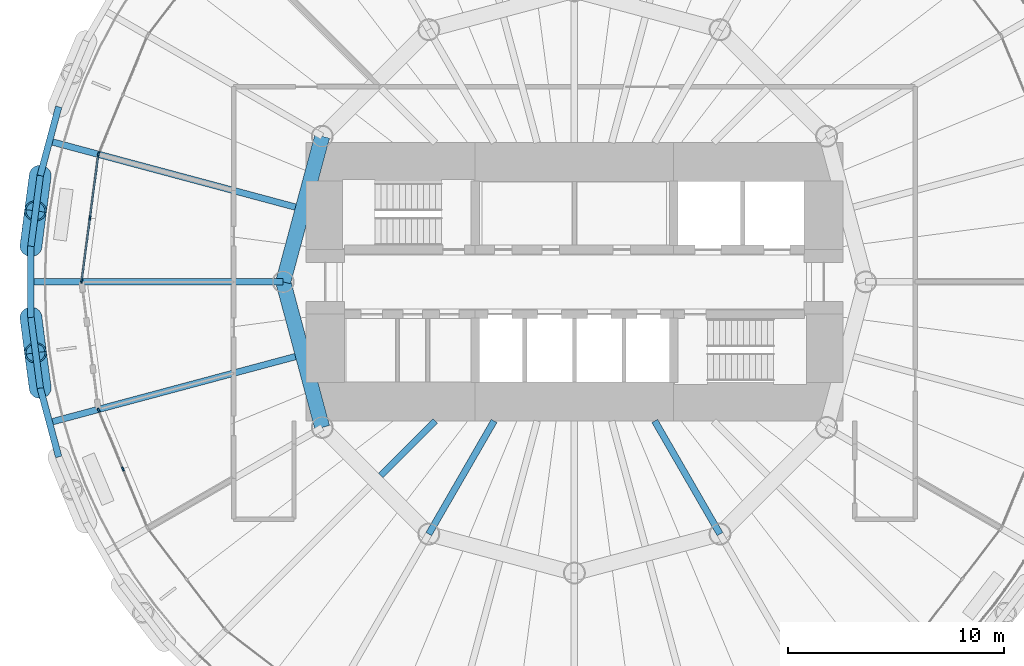
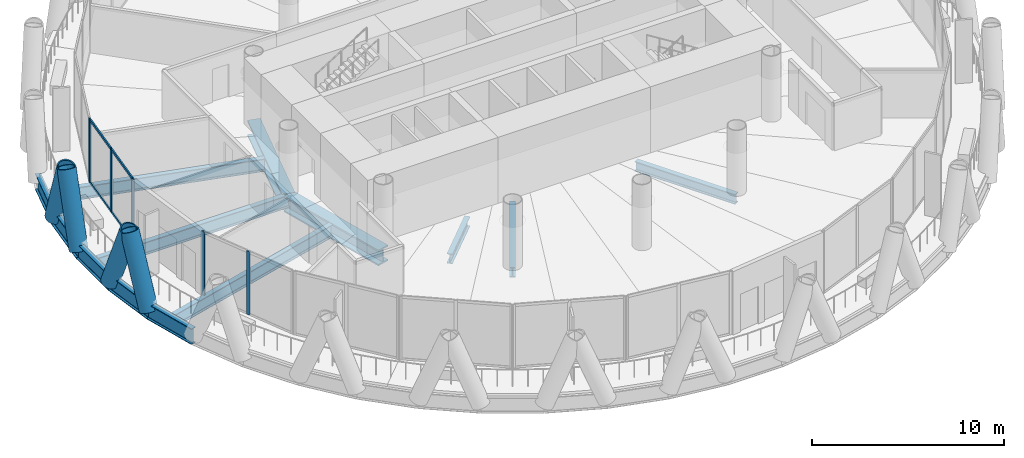
# One storey, part 3 of 15: 14 members, 13 beams, 3 elements without a shape of their own.
"""IFC4 building model written with IfcOpenShell, lengths in metres."""

from ifc_helpers import new_model, si_unit, direction, frame, origin, origin_2d, place, context, subcontext, project, spatial, rectangle, hollow_circle, i_section, extrude, material, material_profile, profile_set, type_object, element, aggregate, save


model = new_model("IFC4")

# Units and contexts
model_context = context("Model", 3, precision=1e-05, world=origin(), true_north=direction((0.0, 1.0)))
body_context = subcontext(model_context, "Body", "Model", "MODEL_VIEW")
ifc_project = project(units=[si_unit("LENGTHUNIT", "METRE"), si_unit("AREAUNIT", "SQUARE_METRE"), si_unit("VOLUMEUNIT", "CUBIC_METRE"), si_unit("PLANEANGLEUNIT", "RADIAN"), si_unit("MASSUNIT", "GRAM", prefix="KILO")], contexts=[model_context])

# Site, building, storey
site_placement = place(None, origin())
site = spatial("IfcSite", under=ifc_project, at=site_placement, CompositionType="ELEMENT")
building_placement = place(site_placement, origin())
building = spatial("IfcBuilding", under=site, at=building_placement, Name="Qaws Media Tower", CompositionType="ELEMENT")
storey_placement = place(building_placement, frame((0.0, 0.0, 114.199951171875)))
storey = spatial("IfcBuildingStorey", under=building, at=storey_placement, Name="L25", CompositionType="ELEMENT", Elevation=114.199951171875)

# Curtain wall, member
ifc_material_1 = material(Name="Aluminium and clear glass", Category="aluminium")
curtain_wall_type = type_object("IfcCurtainWallType", Name="Unitised curtain wall CW-B", PredefinedType="NOTDEFINED", material=ifc_material_1)
curtain_wall_1_placement = place(storey_placement, origin())
curtain_wall_1 = element("IfcCurtainWall", 1, at=curtain_wall_1_placement, inside=storey, type_object=curtain_wall_type, Name="CWB curtain wall L25-11", PredefinedType="NOTDEFINED")
ifc_material_2 = material(Name="Aluminium mullion", Category="aluminium")
ifc_material_profile_1 = material_profile(ifc_material_2, rectangle(XDim=0.080078125, YDim=0.199951171875, at=origin_2d()), Name="80x200")
ifc_profile_set_1 = profile_set([ifc_material_profile_1], Name="Aluminium mullion")
member_type_1 = type_object("IfcMemberType", Name="Curtain wall mullion 80x200", PredefinedType="MULLION", material=ifc_profile_set_1)
member_1_placement = place(storey_placement, frame((37.94384765625, 55.950927734375, 0.0), z_axis=(0.0, 0.0, 1.0), x_axis=(0.923879516448, -0.382683471145, 0.0)))
member_1 = element("IfcMember", 2, at=member_1_placement, type_object=member_type_1, Name="CWB mullion 3", PredefinedType="MULLION", context=body_context, shape_type="SweptSolid", body=[
    extrude(rectangle(XDim=0.080078125, YDim=0.199951171875, at=origin_2d()), origin(), (0.0, 0.0, 1.0), 4.0400390625),
])
aggregate(curtain_wall_1, [member_1])

# Curtain wall, members
curtain_wall_2_placement = place(storey_placement, origin())
curtain_wall_2 = element("IfcCurtainWall", 3, at=curtain_wall_2_placement, inside=storey, type_object=curtain_wall_type, Name="CWB curtain wall L25-12", PredefinedType="NOTDEFINED")
member_2_placement = place(storey_placement, frame((37.92333984375, 55.874267578125, 0.0), z_axis=(0.0, 0.0, 1.0), x_axis=(0.991444858023, -0.130526217674, 0.0)))
member_2 = element("IfcMember", 4, at=member_2_placement, type_object=member_type_1, Name="CWB mullion 1", PredefinedType="MULLION", context=body_context, shape_type="SweptSolid", body=[
    extrude(rectangle(XDim=0.080078125, YDim=0.199951171875, at=origin_2d()), origin(), (0.0, 0.0, 1.0), 4.0400390625),
])
member_3_placement = place(storey_placement, frame((37.539306640625, 52.95703125, 0.0), z_axis=(0.0, 0.0, 1.0), x_axis=(0.991444858023, -0.130526217674, 0.0)))
member_3 = element("IfcMember", 5, at=member_3_placement, type_object=member_type_1, Name="CWB mullion 2", PredefinedType="MULLION", context=body_context, shape_type="SweptSolid", body=[
    extrude(rectangle(XDim=0.080078125, YDim=0.199951171875, at=origin_2d()), origin(), (0.0, 0.0, 1.0), 4.0400390625),
])
member_4_placement = place(storey_placement, frame((37.1552734375, 50.03955078125, 0.0), z_axis=(0.0, 0.0, 1.0), x_axis=(0.991444858023, -0.130526217674, 0.0)))
member_4 = element("IfcMember", 6, at=member_4_placement, type_object=member_type_1, Name="CWB mullion 3", PredefinedType="MULLION", context=body_context, shape_type="SweptSolid", body=[
    extrude(rectangle(XDim=0.080078125, YDim=0.199951171875, at=origin_2d()), origin(), (0.0, 0.0, 1.0), 4.0400390625),
])

curtain_wall_3_placement = place(storey_placement, origin())
curtain_wall_3 = element("IfcCurtainWall", 7, at=curtain_wall_3_placement, inside=storey, type_object=curtain_wall_type, Name="CWB curtain wall L25-14", PredefinedType="NOTDEFINED")
member_5_placement = place(storey_placement, frame((37.94384765625, 44.049072265625, 0.0), z_axis=(0.0, 0.0, 1.0), x_axis=(0.923879516448, 0.382683471145, 0.0)))
member_5 = element("IfcMember", 8, at=member_5_placement, type_object=member_type_1, Name="CWB mullion 1", PredefinedType="MULLION", context=body_context, shape_type="SweptSolid", body=[
    extrude(rectangle(XDim=0.080078125, YDim=0.199951171875, at=origin_2d()), origin(), (0.0, 0.0, 1.0), 4.0400390625),
])
member_6_placement = place(storey_placement, frame((39.070068359375, 41.33056640625, 0.0), z_axis=(0.0, 0.0, 1.0), x_axis=(0.923879516448, 0.382683471145, 0.0)))
member_6 = element("IfcMember", 9, at=member_6_placement, type_object=member_type_1, Name="CWB mullion 2", PredefinedType="MULLION", context=body_context, shape_type="SweptSolid", body=[
    extrude(rectangle(XDim=0.080078125, YDim=0.199951171875, at=origin_2d()), origin(), (0.0, 0.0, 1.0), 4.0400390625),
])
aggregate(curtain_wall_3, [member_5, member_6])

# Member
ifc_material_3 = material(Name="Aluminium transom", Category="aluminium")
ifc_material_profile_2 = material_profile(ifc_material_3, rectangle(XDim=0.080078125, YDim=0.159912109375, at=origin_2d()), Name="80x160")
ifc_profile_set_2 = profile_set([ifc_material_profile_2], Name="Aluminium transom")
member_type_2 = type_object("IfcMemberType", Name="Curtain wall transom 80x160", PredefinedType="USERDEFINED", material=ifc_profile_set_2)
member_7_placement = place(storey_placement, frame((37.918212890625, 55.834716796875, 0.0400390625), z_axis=(-0.130571437549, -0.991438903663, 0.0), x_axis=(0.991438903663, -0.130571437549, 0.0)))
member_7 = element("IfcMember", 10, at=member_7_placement, type_object=member_type_2, Name="CWB transom 1.1", ObjectType="TRANSOM", PredefinedType="USERDEFINED", context=body_context, shape_type="SweptSolid", body=[
    extrude(rectangle(XDim=0.080078125, YDim=0.159912109375, at=origin_2d()), origin(), (0.0, 0.0, 1.0), 2.862548828125),
])

member_8_placement = place(storey_placement, frame((37.918212890625, 55.834716796875, 4.0), z_axis=(-0.130571437549, -0.991438903663, 0.0), x_axis=(0.991438903663, -0.130571437549, 0.0)))
member_8 = element("IfcMember", 11, at=member_8_placement, type_object=member_type_2, Name="CWB transom 1.2", ObjectType="TRANSOM", PredefinedType="USERDEFINED", context=body_context, shape_type="SweptSolid", body=[
    extrude(rectangle(XDim=0.080078125, YDim=0.159912109375, at=origin_2d()), origin(), (0.0, 0.0, 1.0), 2.862548828125),
])

member_9_placement = place(storey_placement, frame((37.5341796875, 52.917236328125, 0.0400390625), z_axis=(-0.130582478934, -0.991437449462, 0.0), x_axis=(0.991437449462, -0.130582478934, 0.0)))
member_9 = element("IfcMember", 12, at=member_9_placement, type_object=member_type_2, Name="CWB transom 2.1", ObjectType="TRANSOM", PredefinedType="USERDEFINED", context=body_context, shape_type="SweptSolid", body=[
    extrude(rectangle(XDim=0.080078125, YDim=0.159912109375, at=origin_2d()), origin(), (0.0, 0.0, 1.0), 2.8623046875),
])

member_10_placement = place(storey_placement, frame((37.5341796875, 52.917236328125, 4.0), z_axis=(-0.130582478934, -0.991437449462, 0.0), x_axis=(0.991437449462, -0.130582478934, 0.0)))
member_10 = element("IfcMember", 13, at=member_10_placement, type_object=member_type_2, Name="CWB transom 2.2", ObjectType="TRANSOM", PredefinedType="USERDEFINED", context=body_context, shape_type="SweptSolid", body=[
    extrude(rectangle(XDim=0.080078125, YDim=0.159912109375, at=origin_2d()), origin(), (0.0, 0.0, 1.0), 2.8623046875),
])

aggregate(curtain_wall_2, [member_2, member_3, member_4, member_7, member_8, member_9, member_10])

# Members
ifc_material_4 = material(Name="Steel S460", Category="steel")
ifc_material_profile_3 = material_profile(ifc_material_4, hollow_circle(Radius=0.508056640625, WallThickness=0.070068359375, at=origin_2d()), Name="CHS 1016x70")
ifc_profile_set_3 = profile_set([ifc_material_profile_3], Name="Steel S460")
member_type_3 = type_object("IfcMemberType", Name="Diagrid member CHS 1016x70", PredefinedType="USERDEFINED", material=ifc_profile_set_3)
for number, where, z_axis, x_axis, name in (
    (14, (35.235107421875, 54.926025390625, -0.6640625), (-0.048631593333, -0.362654284432, 0.930653984095), (0.991128198543, -0.13290934524, 0.0), "DG3 diagrid L25 A12"),
    (15, (34.803955078125, 48.3486328125, -0.6640625), (0.046899822475, -0.362919156842, 0.930639614593), (0.991753034089, 0.128163642951, 0.0), "DG3 diagrid L25 A13"),
    (16, (34.803955078125, 51.6513671875, -0.6640625), (0.046899822475, 0.362919156842, 0.930639614593), (-0.991753034089, 0.128163642951, 0.0), "DG3 diagrid L25 B13"),
    (17, (35.235107421875, 45.073974609375, -0.6640625), (-0.048631593333, 0.362654284432, 0.930653984095), (-0.991128198543, -0.13290934524, 0.0), "DG3 diagrid L25 B14"),
):
    element("IfcMember", number, at=place(storey_placement, frame(where, z_axis=z_axis, x_axis=x_axis)), inside=storey, type_object=member_type_3, Name=name, ObjectType="DIAGRID", PredefinedType="USERDEFINED", context=body_context, shape_type="SweptSolid", body=[
        extrude(hollow_circle(Radius=0.508056640625, WallThickness=0.070068359375, at=origin_2d()), origin(), (0.0, 0.0, 1.0), 4.51318359375),
    ])

# Beams
ifc_material_5 = material(Name="Steel S460", Category="steel")
ifc_material_profile_4 = material_profile(ifc_material_5, i_section(OverallWidth=0.302001953125, OverallDepth=1.008056640625, WebThickness=0.02099609375, FlangeThickness=0.0400390625, FilletRadius=0.030029296875, at=origin_2d()), Name="HE 1000 M")
ifc_profile_set_4 = profile_set([ifc_material_profile_4], Name="Steel S460")
beam_type_1 = type_object("IfcBeamType", Name="Edge ring beam HE 1000 M", PredefinedType="BEAM", material=ifc_profile_set_4)
for number, where, z_axis, x_axis, name in (
    (18, (36.090087890625, 58.116455078125, -0.6640625), (-0.258849385643, -0.965917696055, 0.0), (0.965917696055, -0.258849385643, 0.0), "RB3 edge ring beam L25-22"),
    (19, (35.235107421875, 54.926025390625, -0.6640625), (-0.130536731142, -0.991443473841, 0.0), (0.991443473841, -0.130536731142, 0.0), "RB3 edge ring beam L25-23"),
):
    element("IfcBeam", number, at=place(storey_placement, frame(where, z_axis=z_axis, x_axis=x_axis)), inside=storey, type_object=beam_type_1, Name=name, PredefinedType="BEAM", context=body_context, shape_type="SweptSolid", body=[
        extrude(i_section(OverallWidth=0.302001953125, OverallDepth=1.008056640625, WebThickness=0.02099609375, FlangeThickness=0.0400390625, FilletRadius=0.030029296875, at=origin_2d()), origin(), (0.0, 0.0, 1.0), 3.302978515625),
    ])
beam_1_placement = place(storey_placement, frame((34.803955078125, 51.6513671875, -0.6640625), z_axis=(0.0, -1.0, 0.0), x_axis=(1.0, 0.0, 0.0)))
element("IfcBeam", 20, at=beam_1_placement, inside=storey, type_object=beam_type_1, Name="RB3 edge ring beam L25-24", PredefinedType="BEAM", context=body_context, shape_type="SweptSolid", body=[
    extrude(i_section(OverallWidth=0.302001953125, OverallDepth=1.008056640625, WebThickness=0.02099609375, FlangeThickness=0.0400390625, FilletRadius=0.030029296875, at=origin_2d()), origin(), (0.0, 0.0, 1.0), 3.302734375),
])
for number, where, z_axis, x_axis, name in (
    (21, (34.803955078125, 48.3486328125, -0.6640625), (0.130536731142, -0.991443473841, 0.0), (0.991443473841, 0.130536731142, 0.0), "RB3 edge ring beam L25-25"),
    (22, (35.235107421875, 45.073974609375, -0.6640625), (0.258849385643, -0.965917696055, 0.0), (0.965917696055, 0.258849385643, 0.0), "RB3 edge ring beam L25-26"),
):
    element("IfcBeam", number, at=place(storey_placement, frame(where, z_axis=z_axis, x_axis=x_axis)), inside=storey, type_object=beam_type_1, Name=name, PredefinedType="BEAM", context=body_context, shape_type="SweptSolid", body=[
        extrude(i_section(OverallWidth=0.302001953125, OverallDepth=1.008056640625, WebThickness=0.02099609375, FlangeThickness=0.0400390625, FilletRadius=0.030029296875, at=origin_2d()), origin(), (0.0, 0.0, 1.0), 3.302978515625),
    ])
ifc_material_6 = material(Name="Steel S460", Category="steel")
ifc_material_profile_5 = material_profile(ifc_material_6, i_section(OverallWidth=0.699951171875, OverallDepth=1.0, WebThickness=0.034912109375, FlangeThickness=0.090087890625, at=origin_2d()), Name="PG 1000x700")
ifc_profile_set_5 = profile_set([ifc_material_profile_5], Name="Steel S460")
beam_type_2 = type_object("IfcBeamType", Name="Inner ring girder PG 1000x700", PredefinedType="BEAM", material=ifc_profile_set_5)
for number, where, z_axis, x_axis, name in (
    (23, (48.30859375, 56.75, -0.659912109375), (-0.258810593767, -0.965928090778, 0.0), (0.965928090778, -0.258810593767, 0.0), "B3 inner ring beam L25 I06-I07"),
    (24, (46.5, 50.0, -0.659912109375), (0.258810593767, -0.965928090778, 0.0), (0.965928090778, 0.258810593767, 0.0), "B3 inner ring beam L25 I07-I08"),
):
    element("IfcBeam", number, at=place(storey_placement, frame(where, z_axis=z_axis, x_axis=x_axis)), inside=storey, type_object=beam_type_2, Name=name, PredefinedType="BEAM", context=body_context, shape_type="SweptSolid", body=[
        extrude(i_section(OverallWidth=0.699951171875, OverallDepth=1.0, WebThickness=0.034912109375, FlangeThickness=0.090087890625, at=origin_2d()), origin(), (0.0, 0.0, 1.0), 6.988037109375),
    ])
ifc_material_7 = material(Name="Steel S355", Category="steel")
ifc_material_profile_6 = material_profile(ifc_material_7, i_section(OverallWidth=0.304931640625, OverallDepth=0.6201171875, WebThickness=0.02099609375, FlangeThickness=0.0400390625, FilletRadius=0.027099609375, at=origin_2d()), Name="HE 600 M")
ifc_profile_set_6 = profile_set([ifc_material_profile_6], Name="Steel S355")
beam_type_3 = type_object("IfcBeamType", Name="Radial beam HE 600 M, core side", PredefinedType="BEAM", material=ifc_profile_set_6)
beam_2_placement = place(storey_placement, frame((53.550048828125, 43.550048828125, -0.469970703125), z_axis=(-0.707106781187, -0.707106781187, 0.0), x_axis=(0.707106781187, -0.707106781187, 0.0)))
element("IfcBeam", 25, at=beam_2_placement, inside=storey, type_object=beam_type_3, Name="B2 radial beam L25 16", PredefinedType="BEAM", context=body_context, shape_type="SweptSolid", body=[
    extrude(i_section(OverallWidth=0.304931640625, OverallDepth=0.6201171875, WebThickness=0.02099609375, FlangeThickness=0.0400390625, FilletRadius=0.027099609375, at=origin_2d()), origin(), (0.0, 0.0, 1.0), 3.568359375),
])
for number, where, z_axis, x_axis, name in (
    (26, (56.276123046875, 43.550048828125, -0.469970703125), (-0.499995978368, -0.866027725662, 0.0), (0.866027725662, -0.499995978368, 0.0), "B2 radial beam L25 17"),
    (27, (63.723876953125, 43.550048828125, -0.469970703125), (0.499995978368, -0.866027725662, 0.0), (0.866027725662, 0.499995978368, 0.0), "B2 radial beam L25 21"),
):
    element("IfcBeam", number, at=place(storey_placement, frame(where, z_axis=z_axis, x_axis=x_axis)), inside=storey, type_object=beam_type_3, Name=name, PredefinedType="BEAM", context=body_context, shape_type="SweptSolid", body=[
        extrude(i_section(OverallWidth=0.304931640625, OverallDepth=0.6201171875, WebThickness=0.02099609375, FlangeThickness=0.0400390625, FilletRadius=0.027099609375, at=origin_2d()), origin(), (0.0, 0.0, 1.0), 6.05224609375),
    ])
ifc_material_8 = material(Name="Steel S355", Category="steel")
ifc_material_profile_7 = material_profile(ifc_material_8, i_section(OverallWidth=0.300048828125, OverallDepth=0.800048828125, WebThickness=0.017578125, FlangeThickness=0.032958984375, FilletRadius=0.030029296875, at=origin_2d()), Name="HE 800 B")
ifc_profile_set_7 = profile_set([ifc_material_profile_7], Name="Steel S355")
beam_type_4 = type_object("IfcBeamType", Name="Radial beam HE 800 B", PredefinedType="BEAM", material=ifc_profile_set_7)
beam_3_placement = place(storey_placement, frame((47.066162109375, 53.465576171875, -0.56005859375), z_axis=(-0.965923959046, 0.258826013647, 0.0), x_axis=(-0.258826013647, -0.965923959046, 0.0)))
element("IfcBeam", 28, at=beam_3_placement, inside=storey, type_object=beam_type_4, Name="B1 radial beam L25 12", PredefinedType="BEAM", context=body_context, shape_type="SweptSolid", body=[
    extrude(i_section(OverallWidth=0.300048828125, OverallDepth=0.800048828125, WebThickness=0.017578125, FlangeThickness=0.032958984375, FilletRadius=0.030029296875, at=origin_2d()), origin(), (0.0, 0.0, 1.0), 11.805908203125),
])
beam_4_placement = place(storey_placement, frame((46.5, 50.0, -0.56005859375), z_axis=(-1.0, 0.0, 0.0), x_axis=(0.0, -1.0, 0.0)))
element("IfcBeam", 29, at=beam_4_placement, inside=storey, type_object=beam_type_4, Name="B1 radial beam L25 13", PredefinedType="BEAM", context=body_context, shape_type="SweptSolid", body=[
    extrude(i_section(OverallWidth=0.300048828125, OverallDepth=0.800048828125, WebThickness=0.017578125, FlangeThickness=0.032958984375, FilletRadius=0.030029296875, at=origin_2d()), origin(), (0.0, 0.0, 1.0), 11.696044921875),
])
beam_5_placement = place(storey_placement, frame((47.066162109375, 46.534423828125, -0.56005859375), z_axis=(-0.965923959046, -0.258826013647, 0.0), x_axis=(0.258826013647, -0.965923959046, 0.0)))
element("IfcBeam", 30, at=beam_5_placement, inside=storey, type_object=beam_type_4, Name="B1 radial beam L25 14", PredefinedType="BEAM", context=body_context, shape_type="SweptSolid", body=[
    extrude(i_section(OverallWidth=0.300048828125, OverallDepth=0.800048828125, WebThickness=0.017578125, FlangeThickness=0.032958984375, FilletRadius=0.030029296875, at=origin_2d()), origin(), (0.0, 0.0, 1.0), 11.805908203125),
])

save(model, "model.ifc")
